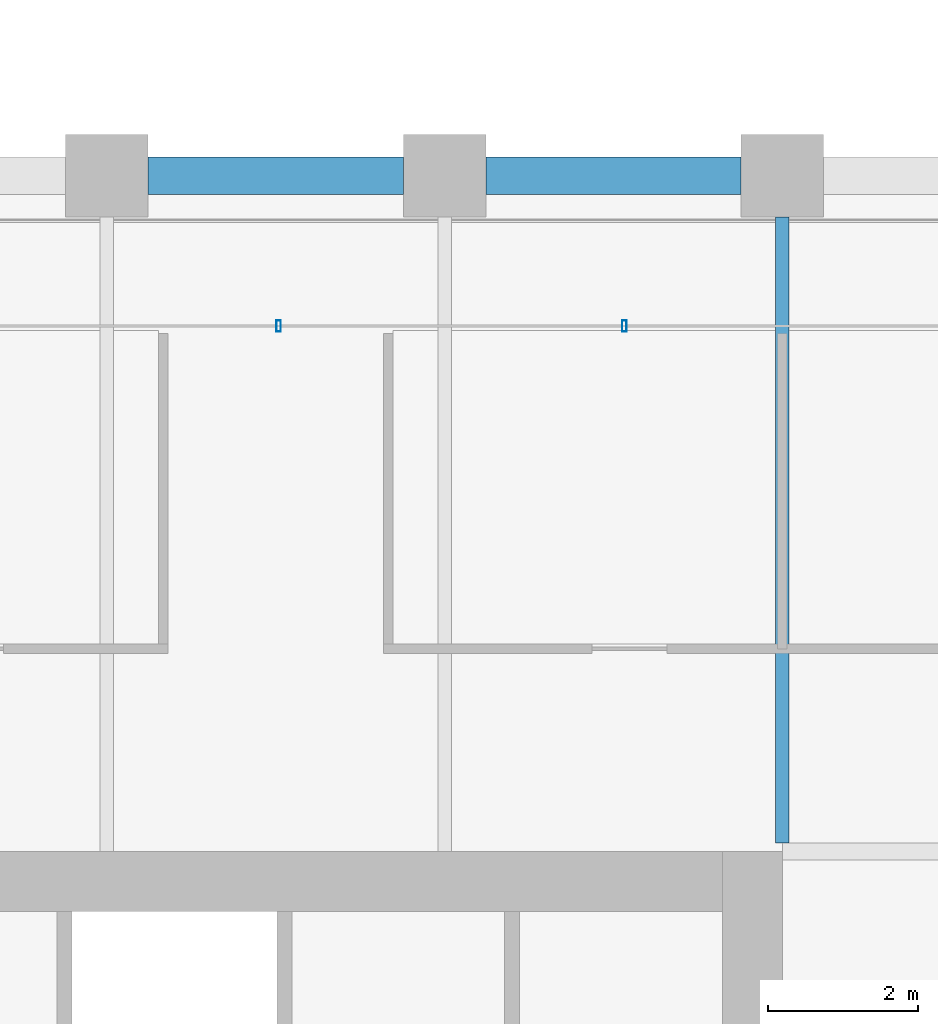
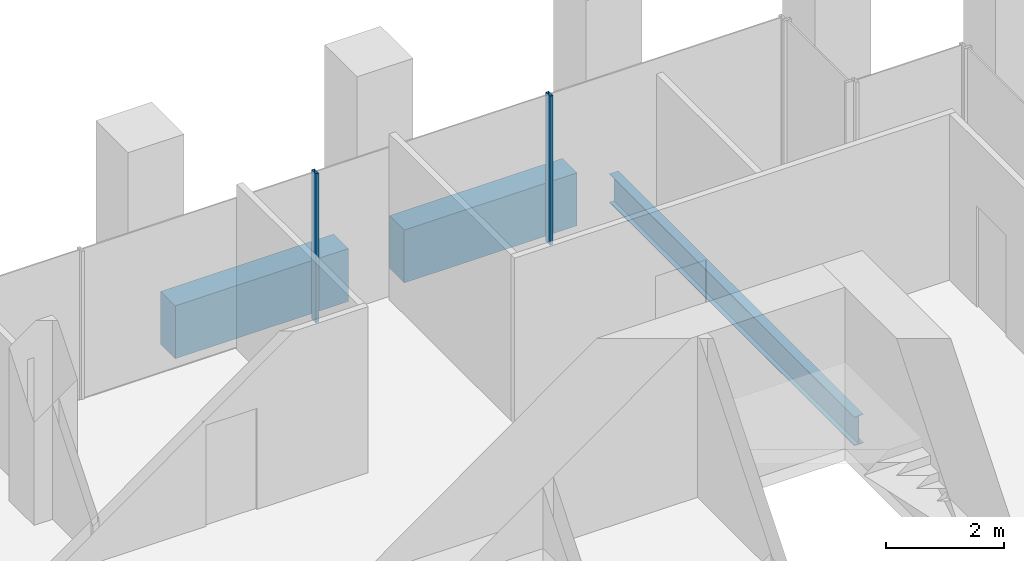
# One storey, part 44 of 56: 3 beams, 2 members, 1 element without a shape of its own.
"""IFC4 building model written with IfcOpenShell, lengths in metres."""

from ifc_helpers import new_model, si_unit, direction, frame, origin, origin_2d, place, context, subcontext, project, spatial, rectangle, hollow_rectangle, i_section, extrude, material, material_profile, profile_set, type_object, element, aggregate, save


model = new_model("IFC4")

# Units and contexts
model_context = context("Model", 3, precision=1e-05, world=origin(), true_north=direction((0.0, 1.0)))
body_context = subcontext(model_context, "Body", "Model", "MODEL_VIEW")
ifc_project = project(units=[si_unit("LENGTHUNIT", "METRE"), si_unit("AREAUNIT", "SQUARE_METRE"), si_unit("VOLUMEUNIT", "CUBIC_METRE"), si_unit("PLANEANGLEUNIT", "RADIAN"), si_unit("MASSUNIT", "GRAM", prefix="KILO")], contexts=[model_context])

# Site, building, storey
site_placement = place(None, origin())
site = spatial("IfcSite", under=ifc_project, at=site_placement, CompositionType="ELEMENT")
building_placement = place(site_placement, origin())
building = spatial("IfcBuilding", under=site, at=building_placement, Name="Altepetl Exchange Towers", CompositionType="ELEMENT")
storey_placement = place(building_placement, frame((0.0, 0.0, 51.0)))
storey = spatial("IfcBuildingStorey", under=building, at=storey_placement, Name="L11", CompositionType="ELEMENT", Elevation=51.0)

# Beam
ifc_material_1 = material(Name="Steel S355", Category="steel")
ifc_material_profile_1 = material_profile(ifc_material_1, i_section(OverallWidth=0.177978515625, OverallDepth=0.59912109375, WebThickness=0.010009765625, FlangeThickness=0.0126953125, at=origin_2d()), Name="W24X55")
ifc_profile_set_1 = profile_set([ifc_material_profile_1], Name="Steel S355")
beam_type_1 = type_object("IfcBeamType", Name="Floor beam W24X55", PredefinedType="BEAM", material=ifc_profile_set_1)
beam_placement = place(storey_placement, frame((117.0, 49.614013671875, -0.449462890625), z_axis=(0.0, 1.0, 0.0), x_axis=(-1.0, 0.0, 0.0)))
element("IfcBeam", 1, at=beam_placement, inside=storey, type_object=beam_type_1, Name="bm:B:L11:002", PredefinedType="BEAM", context=body_context, shape_type="SweptSolid", body=[
    extrude(i_section(OverallWidth=0.177978515625, OverallDepth=0.59912109375, WebThickness=0.010009765625, FlangeThickness=0.0126953125, at=origin_2d()), origin(), (0.0, 0.0, 1.0), 8.3359375),
])

# Curtain wall, members
ifc_material_2 = material(Name="Aluminium 6063-T6 glazing", Category="aluminium")
curtain_wall_type = type_object("IfcCurtainWallType", Name="Loggia glazing system", PredefinedType="NOTDEFINED", material=ifc_material_2)
curtain_wall_placement = place(storey_placement, origin())
curtain_wall = element("IfcCurtainWall", 2, at=curtain_wall_placement, inside=storey, type_object=curtain_wall_type, Name="CW1 run", PredefinedType="NOTDEFINED")
ifc_material_3 = material(Name="Aluminium 6063-T6", Category="aluminium")
ifc_material_profile_2 = material_profile(ifc_material_3, hollow_rectangle(XDim=0.06005859375, YDim=0.14990234375, WallThickness=0.0029296875, at=origin_2d()), Name="Mullion 60x150 aluminium")
ifc_profile_set_2 = profile_set([ifc_material_profile_2], Name="Aluminium 6063-T6")
member_type = type_object("IfcMemberType", Name="Mullion 60x150 aluminium", PredefinedType="MULLION", material=ifc_profile_set_2)
member_1_placement = place(storey_placement, frame((114.893798828125, 56.5, 0.0), z_axis=(0.0, 0.0, 1.0), x_axis=(-1.0, 0.0, 0.0)))
member_1 = element("IfcMember", 3, at=member_1_placement, type_object=member_type, Name="MU1 mullion", PredefinedType="MULLION", context=body_context, shape_type="SweptSolid", body=[
    extrude(hollow_rectangle(XDim=0.06005859375, YDim=0.14990234375, WallThickness=0.0029296875, at=origin_2d()), origin(), (0.0, 0.0, 1.0), 3.10009765625),
])
member_2_placement = place(storey_placement, frame((110.28759765625, 56.5, 0.0), z_axis=(0.0, 0.0, 1.0), x_axis=(-1.0, 0.0, 0.0)))
member_2 = element("IfcMember", 4, at=member_2_placement, type_object=member_type, Name="MU1 mullion", PredefinedType="MULLION", context=body_context, shape_type="SweptSolid", body=[
    extrude(hollow_rectangle(XDim=0.06005859375, YDim=0.14990234375, WallThickness=0.0029296875, at=origin_2d()), origin(), (0.0, 0.0, 1.0), 3.10009765625),
])
aggregate(curtain_wall, [member_1, member_2])

# Beams
ifc_material_4 = material(Name="Concrete C50/60 precast with cantera amarilla facing", Category="concrete")
ifc_material_profile_3 = material_profile(ifc_material_4, rectangle(XDim=0.5, YDim=1.10009765625, at=origin_2d()), Name="500 x 1100")
ifc_profile_set_3 = profile_set([ifc_material_profile_3], Name="Concrete C50/60 precast with cantera amarilla facing")
beam_type_2 = type_object("IfcBeamType", Name="Spandrel beam 500x1100 cantera amarilla", PredefinedType="SPANDREL", material=ifc_profile_set_3)
for number, where, z_axis, x_axis, name in (
    (5, (116.449951171875, 58.5, -0.699951171875), (-1.0, 0.0, 0.0), (0.0, -1.0, 0.0), "sp:B:L11:019"),
    (6, (111.949951171875, 58.5, -0.699951171875), (-1.0, 0.0, 0.0), (0.0, -1.0, 0.0), "sp:B:L11:020"),
):
    element("IfcBeam", number, at=place(storey_placement, frame(where, z_axis=z_axis, x_axis=x_axis)), inside=storey, type_object=beam_type_2, Name=name, PredefinedType="SPANDREL", context=body_context, shape_type="SweptSolid", body=[
        extrude(rectangle(XDim=0.5, YDim=1.10009765625, at=origin_2d()), origin(), (0.0, 0.0, 1.0), 3.39990234375),
    ])

save(model, "model.ifc")
